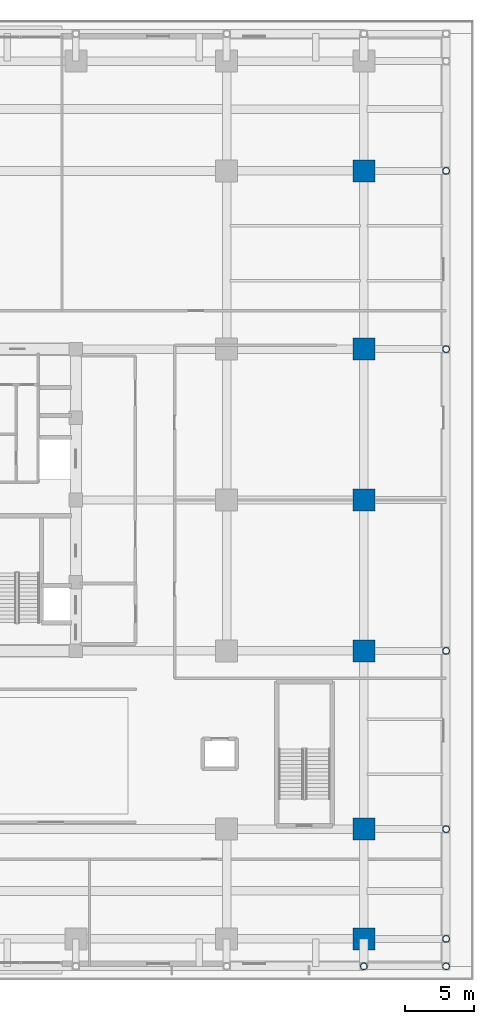
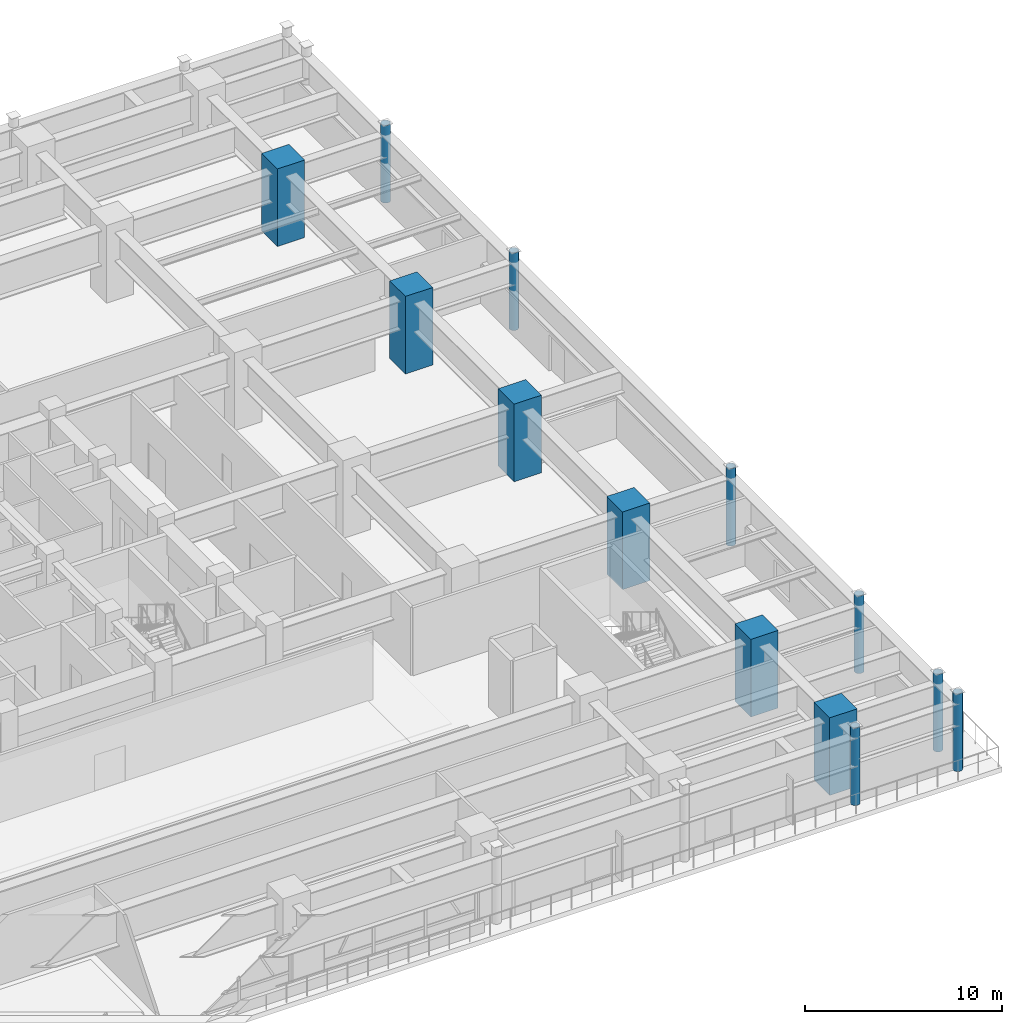
# One storey, part 3 of 35: 13 columns.
"""IFC4 building model written with IfcOpenShell, lengths in metres."""

from ifc_helpers import new_model, si_unit, direction, frame, origin, origin_2d, place, context, subcontext, project, spatial, rectangle, hollow_circle, extrude, source, transform, mapped, material, material_profile, profile_set, type_object, element, save


model = new_model("IFC4")

# Units and contexts
model_context = context("Model", 3, precision=1e-05, world=origin(), true_north=direction((0.0, 1.0)))
body_context = subcontext(model_context, "Body", "Model", "MODEL_VIEW")
ifc_project = project(units=[si_unit("LENGTHUNIT", "METRE"), si_unit("AREAUNIT", "SQUARE_METRE"), si_unit("VOLUMEUNIT", "CUBIC_METRE"), si_unit("PLANEANGLEUNIT", "RADIAN"), si_unit("MASSUNIT", "GRAM", prefix="KILO")], contexts=[model_context])

# Site, building, storey
site_placement = place(None, origin())
site = spatial("IfcSite", under=ifc_project, at=site_placement, CompositionType="ELEMENT")
building_placement = place(site_placement, origin())
building = spatial("IfcBuilding", under=site, at=building_placement, Name="Khorayat Bourse Tower", CompositionType="ELEMENT")
storey_placement = place(building_placement, frame((0.0, 0.0, 22.199951171875)))
storey = spatial("IfcBuildingStorey", under=building, at=storey_placement, Name="L04", CompositionType="ELEMENT", Elevation=22.199951171875)

# Columns
ifc_material_1 = material(Name="Concrete C72/90", Category="concrete")
ifc_material_profile_1 = material_profile(ifc_material_1, rectangle(XDim=1.60009765625, YDim=1.60009765625, at=origin_2d()), Name="RC 1600x1600")
ifc_profile_set_1 = profile_set([ifc_material_profile_1], Name="Concrete C72/90")
column_type_1 = type_object("IfcColumnType", Name="COL-MEGA-1600", PredefinedType="COLUMN", material=ifc_profile_set_1)
shared_shape_1 = source(origin(), body_context, "Body", "SweptSolid", [
    extrude(rectangle(XDim=1.60009765625, YDim=1.60009765625, at=origin_2d()), origin(), (0.0, 0.0, 1.0), 4.800048828125),
])
for number, where, z_axis, x_axis, name in (
    (1, (32.0, -32.0, 0.0), (0.0, 0.0, 1.0), (1.0, 0.0, 0.0), "L04 Column 065"),
    (2, (32.0, -24.0, 0.0), (0.0, 0.0, 1.0), (1.0, 0.0, 0.0), "L04 Column 066"),
    (3, (32.0, -11.0, 0.0), (0.0, 0.0, 1.0), (1.0, 0.0, 0.0), "L04 Column 067"),
    (4, (32.0, 0.0, 0.0), (0.0, 0.0, 1.0), (1.0, 0.0, 0.0), "L04 Column 068"),
    (5, (32.0, 11.0, 0.0), (0.0, 0.0, 1.0), (1.0, 0.0, 0.0), "L04 Column 069"),
    (6, (32.0, 24.0, 0.0), (0.0, 0.0, 1.0), (1.0, 0.0, 0.0), "L04 Column 070"),
):
    element("IfcColumn", number, at=place(storey_placement, frame(where, z_axis=z_axis, x_axis=x_axis)), inside=storey, type_object=column_type_1, Name=name, PredefinedType="COLUMN", context=body_context, shape_type="MappedRepresentation", body=[
        mapped(shared_shape_1, transform((0.0, 0.0, 0.0), scale=1.0)),
    ])
ifc_material_2 = material(Name="Steel EN 10025-2 S355J2", Category="steel")
ifc_material_profile_2 = material_profile(ifc_material_2, hollow_circle(Radius=0.25390625, WallThickness=0.02490234375, at=origin_2d()), Name="CHS 508x25")
ifc_profile_set_2 = profile_set([ifc_material_profile_2], Name="Steel EN 10025-2 S355J2")
column_type_2 = type_object("IfcColumnType", Name="COL-POD-CHS508", PredefinedType="COLUMN", material=ifc_profile_set_2)
shared_shape_2 = source(origin(), body_context, "Body", "SweptSolid", [
    extrude(hollow_circle(Radius=0.25390625, WallThickness=0.02490234375, at=origin_2d()), origin(), (0.0, 0.0, 1.0), 4.800048828125),
])
for number, where, z_axis, x_axis, name in (
    (7, (32.0, -34.0, 0.0), (0.0, 0.0, 1.0), (1.0, 0.0, 0.0), "L04 Column 064"),
    (8, (38.0, -34.0, 0.0), (0.0, 0.0, 1.0), (1.0, 0.0, 0.0), "L04 Column 073"),
    (9, (38.0, -24.0, 0.0), (0.0, 0.0, 1.0), (1.0, 0.0, 0.0), "L04 Column 074"),
    (10, (38.0, -11.0, 0.0), (0.0, 0.0, 1.0), (1.0, 0.0, 0.0), "L04 Column 075"),
    (11, (38.0, 11.0, 0.0), (0.0, 0.0, 1.0), (1.0, 0.0, 0.0), "L04 Column 076"),
    (12, (38.0, 24.0, 0.0), (0.0, 0.0, 1.0), (1.0, 0.0, 0.0), "L04 Column 077"),
    (13, (38.0, -32.0, 0.0), (0.0, 0.0, 1.0), (1.0, 0.0, 0.0), "L04 Perimeter Step Column 3"),
):
    element("IfcColumn", number, at=place(storey_placement, frame(where, z_axis=z_axis, x_axis=x_axis)), inside=storey, type_object=column_type_2, Name=name, PredefinedType="COLUMN", context=body_context, shape_type="MappedRepresentation", body=[
        mapped(shared_shape_2, transform((0.0, 0.0, 0.0), scale=1.0)),
    ])

save(model, "model.ifc")
